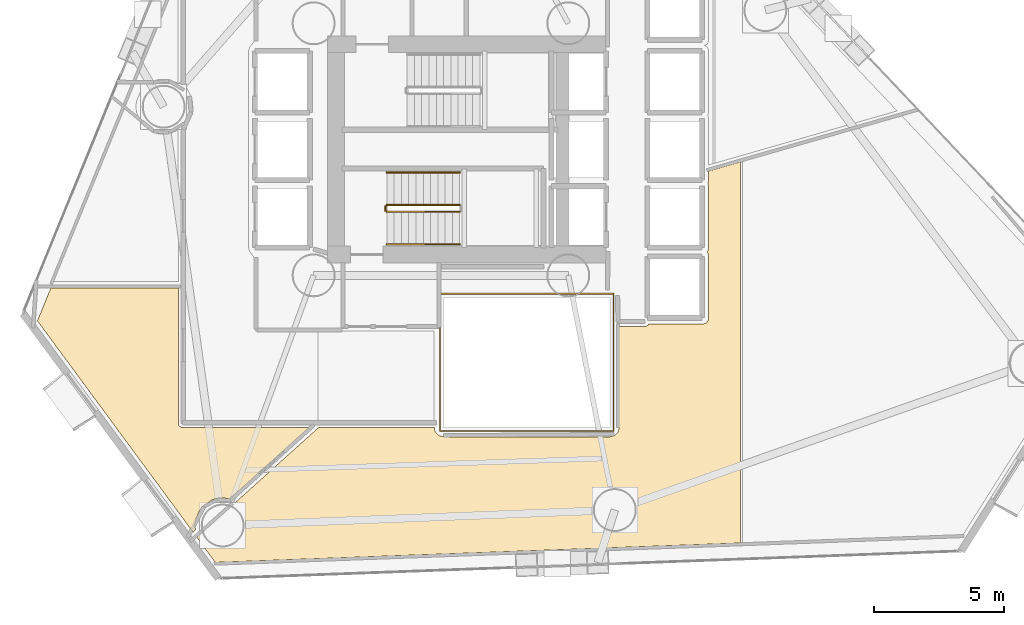
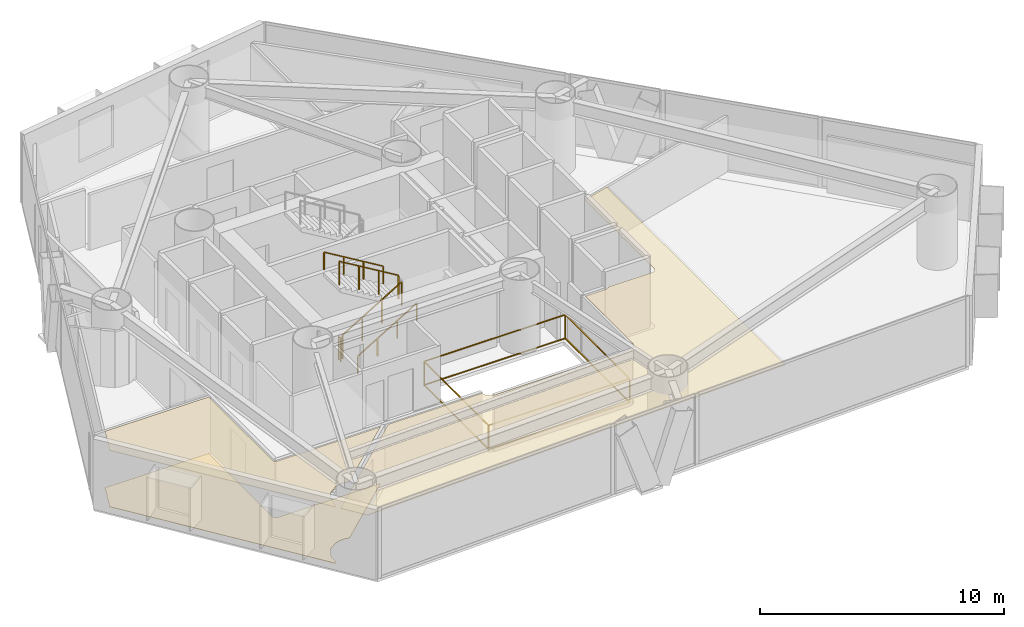
# One storey, part 20 of 23: 6 railings, 3 coverings.
"""IFC4 building model written with IfcOpenShell, lengths in metres."""

from ifc_helpers import new_model, si_unit, direction, frame, origin, origin_2d, place, context, subcontext, project, spatial, polyline, rectangle, outline, extrude, material, layer, layer_set, type_object, element, save


model = new_model("IFC4")

# Units and contexts
model_context = context("Model", 3, precision=1e-05, world=origin(), true_north=direction((0.0, 1.0)))
body_context = subcontext(model_context, "Body", "Model", "MODEL_VIEW")
ifc_project = project(units=[si_unit("LENGTHUNIT", "METRE"), si_unit("AREAUNIT", "SQUARE_METRE"), si_unit("VOLUMEUNIT", "CUBIC_METRE"), si_unit("PLANEANGLEUNIT", "RADIAN"), si_unit("MASSUNIT", "GRAM", prefix="KILO")], contexts=[model_context])

# Site, building, storey
site_placement = place(None, origin())
site = spatial("IfcSite", under=ifc_project, at=site_placement, CompositionType="ELEMENT")
building_placement = place(site_placement, origin())
building = spatial("IfcBuilding", under=site, at=building_placement, Name="Qianvela Tower", CompositionType="ELEMENT")
storey_placement = place(building_placement, frame((0.0, 0.0, 52.5)))
storey = spatial("IfcBuildingStorey", under=building, at=storey_placement, Name="L12", CompositionType="ELEMENT", Elevation=52.5)

# Coverings
ifc_material_1 = material(Name="Perforated Mineral Acoustic Ceiling Tile")
ifc_layer_1 = layer(ifc_material_1, 0.02490234375)
ifc_layer_set_1 = layer_set([ifc_layer_1], Name="Perforated Mineral Acoustic Ceiling Tile")
covering_type_1 = type_object("IfcCoveringType", Name="COV-CEIL-ACOUSTIC-25", PredefinedType="CEILING", material=ifc_layer_set_1)
covering_1_placement = place(storey_placement, frame((0.0, 0.0, 2.81494140625)))
element("IfcCovering", 1, at=covering_1_placement, inside=storey, type_object=covering_type_1, Name="L12 Acoustic Ceiling Maker Craft Workshop L12-01", PredefinedType="CEILING", context=body_context, shape_type="SweptSolid", body=[
    extrude(outline(polyline([(28.421630859375, 17.989990234375), (25.37255859375, 15.24462890625), (25.113525390625, 15.288818359375), (25.1064453125, 15.289794921875), (25.099365234375, 15.2900390625), (25.09228515625, 15.28955078125), (24.89990234375, 15.270751953125), (24.89208984375, 15.26953125), (24.884521484375, 15.267578125), (24.69970703125, 15.211669921875), (24.6923828125, 15.208984375), (24.685302734375, 15.20556640625), (24.6787109375, 15.201416015625), (24.359130859375, 14.988037109375), (24.352783203125, 14.9833984375), (24.346923828125, 14.97802734375), (24.341796875, 14.972412109375), (24.21923828125, 14.822998046875), (24.214599609375, 14.816650390625), (24.21044921875, 14.809814453125), (24.20703125, 14.802978515625), (24.06005859375, 14.44775390625), (24.057373046875, 14.4404296875), (24.055419921875, 14.432861328125), (24.05419921875, 14.425048828125), (24.035400390625, 14.23291015625), (24.034912109375, 14.224609375), (24.035400390625, 14.216552734375), (24.052734375, 14.05615234375), (23.95849609375, 13.971435546875), (17.972900390625, 22.09814453125), (18.49169921875, 23.366943359375), (23.393310546875, 23.366943359375), (23.39599609375, 18.119384765625), (23.396484375, 18.111572265625), (23.397705078125, 18.103759765625), (23.3994140625, 18.09619140625), (23.402099609375, 18.088623046875), (23.405517578125, 18.081787109375), (23.40966796875, 18.074951171875), (23.414306640625, 18.068603515625), (23.41943359375, 18.062744140625), (23.42529296875, 18.0576171875), (23.431640625, 18.052978515625), (23.505615234375, 18.00341796875), (23.51220703125, 17.99951171875), (23.519287109375, 17.99609375), (23.52685546875, 17.993408203125), (23.534423828125, 17.991455078125), (23.542236328125, 17.990478515625), (23.550048828125, 17.989990234375), (28.421630859375, 17.989990234375)])), origin(), (0.0, 0.0, 1.0), 0.025146484375),
])
covering_2_placement = place(storey_placement, frame((0.0, 0.0, 2.81494140625)))
element("IfcCovering", 2, at=covering_2_placement, inside=storey, type_object=covering_type_1, Name="L12 Acoustic Ceiling Bay 1 Student Reading Library L12-02", PredefinedType="CEILING", context=body_context, shape_type="SweptSolid", body=[
    extrude(outline(polyline([(28.786376953125, 17.989990234375), (33.24609375, 17.989990234375), (33.252197265625, 17.912353515625), (33.25341796875, 17.904296875), (33.25537109375, 17.896240234375), (33.258056640625, 17.888427734375), (33.261474609375, 17.881103515625), (33.31298828125, 17.78466796875), (33.31689453125, 17.77783203125), (33.32177734375, 17.771484375), (33.326904296875, 17.765869140625), (33.332763671875, 17.760498046875), (33.417236328125, 17.691162109375), (33.42431640625, 17.68603515625), (33.431884765625, 17.681640625), (33.440185546875, 17.677978515625), (33.448486328125, 17.675537109375), (33.58056640625, 17.642333984375), (33.5869140625, 17.64111328125), (33.593505859375, 17.640380859375), (33.60009765625, 17.639892578125), (40.0, 17.639892578125), (40.0078125, 17.640380859375), (40.015625, 17.6416015625), (40.023193359375, 17.643310546875), (40.1787109375, 17.690673828125), (40.185546875, 17.693115234375), (40.192138671875, 17.696044921875), (40.198486328125, 17.69970703125), (40.204345703125, 17.70361328125), (40.209716796875, 17.70849609375), (40.21484375, 17.71337890625), (40.30615234375, 17.814208984375), (40.311279296875, 17.8203125), (40.315673828125, 17.826904296875), (40.3193359375, 17.833740234375), (40.322265625, 17.841064453125), (40.324462890625, 17.8486328125), (40.357666015625, 17.980712890625), (40.35888671875, 17.987060546875), (40.359619140625, 17.993408203125), (40.360107421875, 18.0), (40.360107421875, 21.889892578125), (41.367919921875, 21.890380859375), (41.375732421875, 21.890869140625), (41.383544921875, 21.891845703125), (41.39111328125, 21.893798828125), (41.3984375, 21.896484375), (41.405517578125, 21.89990234375), (41.45947265625, 21.9287109375), (41.46630859375, 21.932861328125), (41.472900390625, 21.9375), (41.478759765625, 21.943115234375), (41.48388671875, 21.948974609375), (41.48876953125, 21.955322265625), (41.492919921875, 21.96240234375), (41.49609375, 21.969482421875), (41.498779296875, 21.97705078125), (41.49951171875, 21.97998046875), (43.59375, 21.980712890625), (43.6015625, 21.981201171875), (43.609375, 21.982177734375), (43.616943359375, 21.984130859375), (43.624267578125, 21.98681640625), (43.699462890625, 22.017822265625), (43.70654296875, 22.021240234375), (43.71337890625, 22.025390625), (43.719482421875, 22.02978515625), (43.725341796875, 22.03515625), (43.730712890625, 22.041015625), (43.7353515625, 22.04736328125), (43.780517578125, 22.114990234375), (43.784423828125, 22.12158203125), (43.787841796875, 22.128662109375), (43.79052734375, 22.135986328125), (43.79248046875, 22.1435546875), (43.793701171875, 22.1513671875), (43.7939453125, 22.1591796875), (43.800048828125, 24.599853515625), (43.7998046875, 24.606689453125), (43.798828125, 24.613525390625), (43.79736328125, 24.620361328125), (43.79541015625, 24.626953125), (43.763427734375, 24.7158203125), (43.760498046875, 24.722900390625), (43.7568359375, 24.72998046875), (43.75244140625, 24.736572265625), (43.74755859375, 24.742431640625), (43.741943359375, 24.748046875), (43.736083984375, 24.7529296875), (43.740966796875, 24.755615234375), (43.747314453125, 24.760498046875), (43.7529296875, 24.765625), (43.75830078125, 24.771484375), (43.762939453125, 24.77783203125), (43.76708984375, 24.784423828125), (43.770263671875, 24.79150390625), (43.77294921875, 24.799072265625), (43.796630859375, 24.876708984375), (43.798583984375, 24.884521484375), (43.799560546875, 24.89208984375), (43.800048828125, 24.89990234375), (43.800048828125, 27.300048828125), (43.799560546875, 27.30810546875), (43.79833984375, 27.31591796875), (43.79638671875, 27.323486328125), (43.793701171875, 27.3310546875), (43.765625, 27.397705078125), (43.79150390625, 27.45166015625), (43.794189453125, 27.458251953125), (43.79638671875, 27.465087890625), (43.798095703125, 27.471923828125), (43.799072265625, 27.47900390625), (43.79931640625, 27.486083984375), (43.7998046875, 27.86669921875), (45.019287109375, 28.216552734375), (45.019287109375, 13.55078125), (24.8173828125, 12.805419921875), (24.10400390625, 13.774169921875), (28.786376953125, 17.989990234375)])), origin(), (0.0, 0.0, 1.0), 0.025146484375),
])
ifc_material_2 = material(Name="Engineered Acoustic Oak Timber Flooring", Category="wood")
ifc_layer_2 = layer(ifc_material_2, 0.02001953125)
ifc_layer_set_2 = layer_set([ifc_layer_2], Name="Engineered Acoustic Oak Timber Flooring")
covering_type_2 = type_object("IfcCoveringType", Name="COV-FLOOR-OAK-20", PredefinedType="FLOORING", material=ifc_layer_set_2)
covering_3_placement = place(storey_placement, origin())
element("IfcCovering", 3, at=covering_3_placement, inside=storey, type_object=covering_type_2, Name="L12 Finish Flooring Maker Craft Workshop L12-01", PredefinedType="FLOORING", context=body_context, shape_type="SweptSolid", body=[
    extrude(outline(polyline([(28.421630859375, 17.989990234375), (25.37255859375, 15.24462890625), (25.113525390625, 15.288818359375), (25.1064453125, 15.289794921875), (25.099365234375, 15.2900390625), (25.09228515625, 15.28955078125), (24.89990234375, 15.270751953125), (24.89208984375, 15.26953125), (24.884521484375, 15.267578125), (24.69970703125, 15.211669921875), (24.6923828125, 15.208984375), (24.685302734375, 15.20556640625), (24.6787109375, 15.201416015625), (24.359130859375, 14.988037109375), (24.352783203125, 14.9833984375), (24.346923828125, 14.97802734375), (24.341796875, 14.972412109375), (24.21923828125, 14.822998046875), (24.214599609375, 14.816650390625), (24.21044921875, 14.809814453125), (24.20703125, 14.802978515625), (24.06005859375, 14.44775390625), (24.057373046875, 14.4404296875), (24.055419921875, 14.432861328125), (24.05419921875, 14.425048828125), (24.035400390625, 14.23291015625), (24.034912109375, 14.224609375), (24.035400390625, 14.216552734375), (24.052734375, 14.05615234375), (23.95849609375, 13.971435546875), (17.972900390625, 22.09814453125), (18.49169921875, 23.366943359375), (23.393310546875, 23.366943359375), (23.39599609375, 18.119384765625), (23.396484375, 18.111572265625), (23.397705078125, 18.103759765625), (23.3994140625, 18.09619140625), (23.402099609375, 18.088623046875), (23.405517578125, 18.081787109375), (23.40966796875, 18.074951171875), (23.414306640625, 18.068603515625), (23.41943359375, 18.062744140625), (23.42529296875, 18.0576171875), (23.431640625, 18.052978515625), (23.505615234375, 18.00341796875), (23.51220703125, 17.99951171875), (23.519287109375, 17.99609375), (23.52685546875, 17.993408203125), (23.534423828125, 17.991455078125), (23.542236328125, 17.990478515625), (23.550048828125, 17.989990234375), (28.421630859375, 17.989990234375)])), origin(), (0.0, 0.0, 1.0), 0.02001953125),
])

# Railings
ifc_material_3 = material(Name="Laminated Safety Glass and Stainless Steel 316", Category="steel")
railing_type_1 = type_object("IfcRailingType", Name="RL-ATRIUM-GUARD-1250", PredefinedType="GUARDRAIL", material=ifc_material_3)
railing_1_placement = place(storey_placement, frame((33.4599609375, 17.860107421875, 0.0)))
element("IfcRailing", 4, at=railing_1_placement, inside=storey, type_object=railing_type_1, Name="L12 Atrium Edge Guardrail 1", PredefinedType="GUARDRAIL", context=body_context, shape_type="SweptSolid", body=[
    extrude(rectangle(XDim=0.050048828125, YDim=0.0400390625, at=origin_2d()), frame((0.0, 0.0, 1.22998046875), z_axis=(0.0, 1.0, 0.0), x_axis=(-1.0, 0.0, 0.0)), (0.0, 0.0, 1.0), 5.27978515625),
    extrude(rectangle(XDim=0.050048828125, YDim=0.0400390625, at=origin_2d()), frame((0.0, 0.0, 0.050048828125), z_axis=(0.0, 1.0, 0.0), x_axis=(-1.0, 0.0, 0.0)), (0.0, 0.0, 1.0), 5.27978515625),
    extrude(rectangle(XDim=0.050048828125, YDim=0.0400390625, at=origin_2d()), frame((0.0, 5.27978515625, 1.22998046875), z_axis=(1.0, 0.0, 0.0), x_axis=(0.0, 1.0, 0.0)), (0.0, 0.0, 1.0), 6.679931640625),
    extrude(rectangle(XDim=0.050048828125, YDim=0.0400390625, at=origin_2d()), frame((0.0, 5.27978515625, 0.050048828125), z_axis=(1.0, 0.0, 0.0), x_axis=(0.0, 1.0, 0.0)), (0.0, 0.0, 1.0), 6.679931640625),
    extrude(rectangle(XDim=0.050048828125, YDim=0.0400390625, at=origin_2d()), frame((6.679931640625, 5.27978515625, 1.22998046875), z_axis=(0.0, -1.0, 0.0), x_axis=(1.0, 0.0, 0.0)), (0.0, 0.0, 1.0), 5.27978515625),
    extrude(rectangle(XDim=0.050048828125, YDim=0.0400390625, at=origin_2d()), frame((6.679931640625, 5.27978515625, 0.050048828125), z_axis=(0.0, -1.0, 0.0), x_axis=(1.0, 0.0, 0.0)), (0.0, 0.0, 1.0), 5.27978515625),
    extrude(rectangle(XDim=0.050048828125, YDim=0.0400390625, at=origin_2d()), frame((6.679931640625, 0.0, 1.22998046875), z_axis=(-1.0, 0.0, 0.0), x_axis=(0.0, -1.0, 0.0)), (0.0, 0.0, 1.0), 6.679931640625),
    extrude(rectangle(XDim=0.050048828125, YDim=0.0400390625, at=origin_2d()), frame((6.679931640625, 0.0, 0.050048828125), z_axis=(-1.0, 0.0, 0.0), x_axis=(0.0, -1.0, 0.0)), (0.0, 0.0, 1.0), 6.679931640625),
    extrude(rectangle(XDim=0.050048828125, YDim=0.050048828125, at=origin_2d()), origin(), (0.0, 0.0, 1.0), 1.2099609375),
    extrude(rectangle(XDim=0.050048828125, YDim=0.050048828125, at=origin_2d()), frame((0.0, 5.27978515625, 0.0)), (0.0, 0.0, 1.0), 1.2099609375),
    extrude(rectangle(XDim=0.050048828125, YDim=0.050048828125, at=origin_2d()), frame((6.679931640625, 5.27978515625, 0.0)), (0.0, 0.0, 1.0), 1.2099609375),
    extrude(rectangle(XDim=0.050048828125, YDim=0.050048828125, at=origin_2d()), frame((6.679931640625, 0.0, 0.0)), (0.0, 0.0, 1.0), 1.2099609375),
])
ifc_material_4 = material(Name="Painted Tubular Steel Q355B", Category="steel")
railing_type_2 = type_object("IfcRailingType", Name="RL-STAIR-GUARD-1200", PredefinedType="GUARDRAIL", material=ifc_material_4)
railing_2_placement = place(storey_placement, frame((31.419921875, 26.300048828125, 0.168212890625)))
element("IfcRailing", 5, at=railing_2_placement, inside=storey, type_object=railing_type_2, Name="L12 ST-2 stair guard 1", PredefinedType="GUARDRAIL", context=body_context, shape_type="SweptSolid", body=[
    extrude(rectangle(XDim=0.050048828125, YDim=0.0400390625, at=origin_2d()), frame((0.0, 0.0, 1.179931640625), z_axis=(0.857242210791, 0.0, 0.514913383045), x_axis=(0.0, 1.0, 0.0)), (0.0, 0.0, 1.0), 3.266357421875),
    extrude(rectangle(XDim=0.050048828125, YDim=0.050048828125, at=origin_2d()), origin(), (0.0, 0.0, 1.0), 1.159912109375),
    extrude(rectangle(XDim=0.050048828125, YDim=0.050048828125, at=origin_2d()), frame((0.933349609375, 0.0, 0.560546875)), (0.0, 0.0, 1.0), 1.159912109375),
    extrude(rectangle(XDim=0.050048828125, YDim=0.050048828125, at=origin_2d()), frame((1.86669921875, 0.0, 1.121337890625)), (0.0, 0.0, 1.0), 1.159912109375),
    extrude(rectangle(XDim=0.050048828125, YDim=0.050048828125, at=origin_2d()), frame((2.800048828125, 0.0, 1.681884765625)), (0.0, 0.0, 1.0), 1.159912109375),
])
railing_3_placement = place(storey_placement, frame((34.219970703125, 26.56005859375, 2.01806640625)))
element("IfcRailing", 6, at=railing_3_placement, inside=storey, type_object=railing_type_2, Name="L12 ST-2 stair guard 3", PredefinedType="GUARDRAIL", context=body_context, shape_type="SweptSolid", body=[
    extrude(rectangle(XDim=0.050048828125, YDim=0.0400390625, at=origin_2d()), frame((0.0, 0.0, 1.179931640625), z_axis=(-0.857242210791, 0.0, 0.514913383045), x_axis=(0.0, -1.0, 0.0)), (0.0, 0.0, 1.0), 3.266357421875),
    extrude(rectangle(XDim=0.050048828125, YDim=0.050048828125, at=origin_2d()), origin(), (0.0, 0.0, 1.0), 1.159912109375),
    extrude(rectangle(XDim=0.050048828125, YDim=0.050048828125, at=origin_2d()), frame((-0.933349609375, 0.0, 0.560546875)), (0.0, 0.0, 1.0), 1.159912109375),
    extrude(rectangle(XDim=0.050048828125, YDim=0.050048828125, at=origin_2d()), frame((-1.86669921875, 0.0, 1.121337890625)), (0.0, 0.0, 1.0), 1.159912109375),
    extrude(rectangle(XDim=0.050048828125, YDim=0.050048828125, at=origin_2d()), frame((-2.800048828125, 0.0, 1.681884765625)), (0.0, 0.0, 1.0), 1.159912109375),
])
railing_4_placement = place(storey_placement, frame((31.3701171875, 26.35009765625, 0.0)))
element("IfcRailing", 7, at=railing_4_placement, inside=storey, type_object=railing_type_2, Name="L12 ST-2 stair guard 4", PredefinedType="GUARDRAIL", context=body_context, shape_type="SweptSolid", body=[
    extrude(rectangle(XDim=0.050048828125, YDim=0.0400390625, at=origin_2d()), frame((0.0, 0.0, 1.179931640625), z_axis=(0.0, 1.0, 0.0), x_axis=(-1.0, 0.0, 0.0)), (0.0, 0.0, 1.0), 0.159912109375),
    extrude(rectangle(XDim=0.050048828125, YDim=0.050048828125, at=origin_2d()), origin(), (0.0, 0.0, 1.0), 1.159912109375),
    extrude(rectangle(XDim=0.050048828125, YDim=0.050048828125, at=origin_2d()), frame((0.0, 0.159912109375, 0.0)), (0.0, 0.0, 1.0), 1.159912109375),
])
ifc_material_5 = material(Name="Brushed Stainless Steel 304", Category="steel")
railing_type_3 = type_object("IfcRailingType", Name="RL-STAIR-HANDRAIL-900", PredefinedType="HANDRAIL", material=ifc_material_5)
railing_5_placement = place(storey_placement, frame((31.419921875, 25.050048828125, 0.168212890625)))
element("IfcRailing", 8, at=railing_5_placement, inside=storey, type_object=railing_type_3, Name="L12 ST-2 stair handrail 1", PredefinedType="HANDRAIL", context=body_context, shape_type="SweptSolid", body=[
    extrude(rectangle(XDim=0.050048828125, YDim=0.0400390625, at=origin_2d()), frame((0.0, 0.0, 0.8798828125), z_axis=(0.857242210791, 0.0, 0.514913383045), x_axis=(0.0, 1.0, 0.0)), (0.0, 0.0, 1.0), 3.266357421875),
    extrude(rectangle(XDim=0.050048828125, YDim=0.050048828125, at=origin_2d()), origin(), (0.0, 0.0, 1.0), 0.85986328125),
    extrude(rectangle(XDim=0.050048828125, YDim=0.050048828125, at=origin_2d()), frame((0.933349609375, 0.0, 0.560546875)), (0.0, 0.0, 1.0), 0.85986328125),
    extrude(rectangle(XDim=0.050048828125, YDim=0.050048828125, at=origin_2d()), frame((1.86669921875, 0.0, 1.121337890625)), (0.0, 0.0, 1.0), 0.85986328125),
    extrude(rectangle(XDim=0.050048828125, YDim=0.050048828125, at=origin_2d()), frame((2.800048828125, 0.0, 1.681884765625)), (0.0, 0.0, 1.0), 0.85986328125),
])
railing_6_placement = place(storey_placement, frame((34.219970703125, 27.81005859375, 2.01806640625)))
element("IfcRailing", 9, at=railing_6_placement, inside=storey, type_object=railing_type_3, Name="L12 ST-2 stair handrail 2", PredefinedType="HANDRAIL", context=body_context, shape_type="SweptSolid", body=[
    extrude(rectangle(XDim=0.050048828125, YDim=0.0400390625, at=origin_2d()), frame((0.0, 0.0, 0.8798828125), z_axis=(-0.857242210791, 0.0, 0.514913383045), x_axis=(0.0, -1.0, 0.0)), (0.0, 0.0, 1.0), 3.266357421875),
    extrude(rectangle(XDim=0.050048828125, YDim=0.050048828125, at=origin_2d()), origin(), (0.0, 0.0, 1.0), 0.85986328125),
    extrude(rectangle(XDim=0.050048828125, YDim=0.050048828125, at=origin_2d()), frame((-0.933349609375, 0.0, 0.560546875)), (0.0, 0.0, 1.0), 0.85986328125),
    extrude(rectangle(XDim=0.050048828125, YDim=0.050048828125, at=origin_2d()), frame((-1.86669921875, 0.0, 1.121337890625)), (0.0, 0.0, 1.0), 0.85986328125),
    extrude(rectangle(XDim=0.050048828125, YDim=0.050048828125, at=origin_2d()), frame((-2.800048828125, 0.0, 1.681884765625)), (0.0, 0.0, 1.0), 0.85986328125),
])

save(model, "model.ifc")
